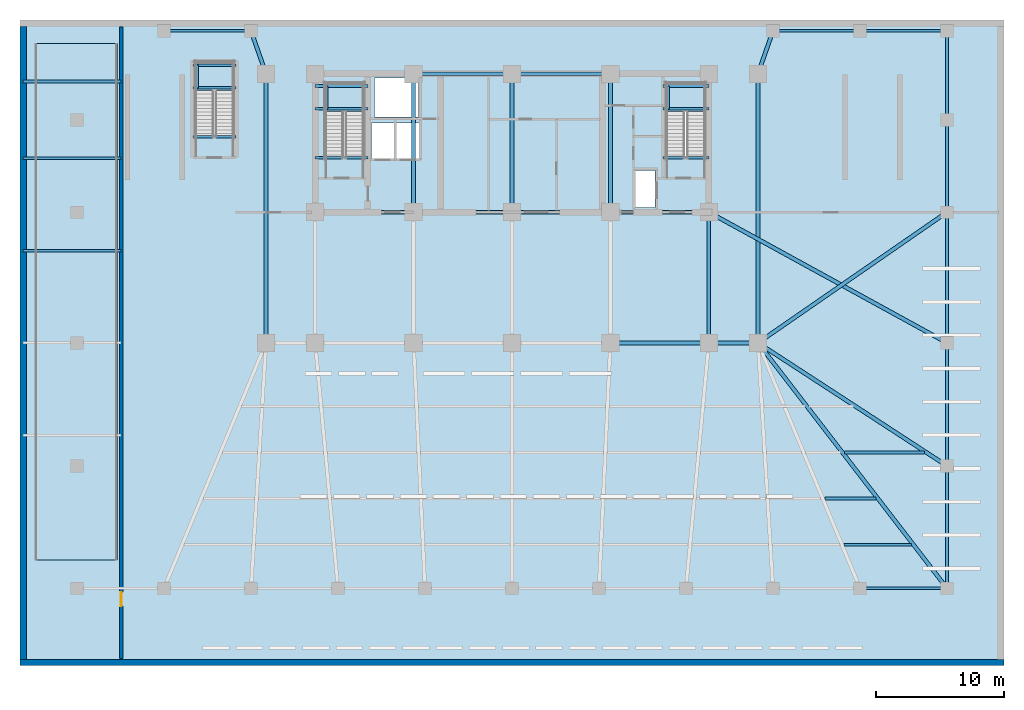
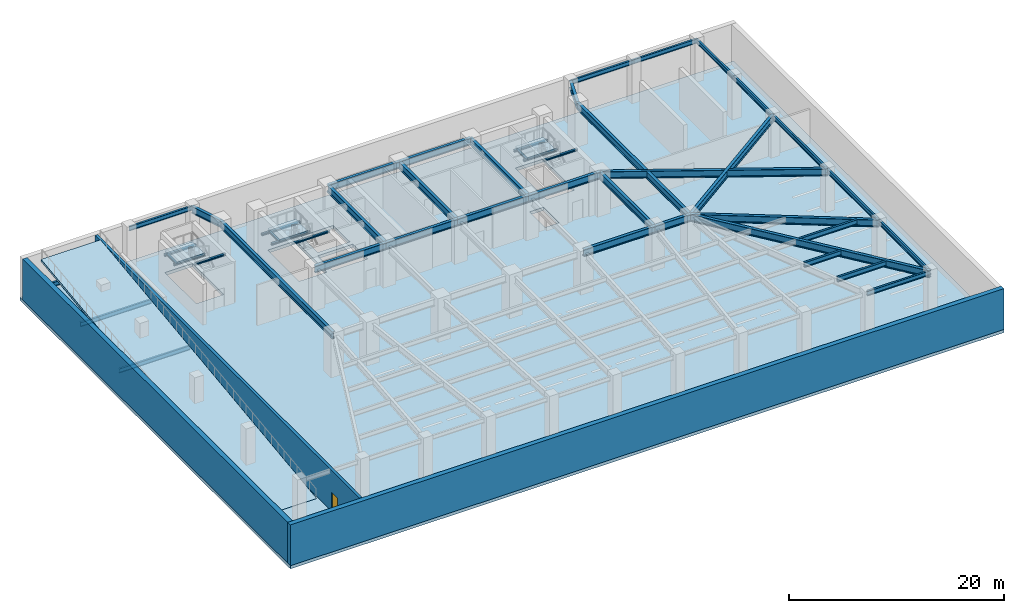
# One storey, part 2 of 8: 47 beams, 5 slabs, 3 walls, 1 door, 1 opening, 3 elements without a shape of their own.
"""IFC4 building model written with IfcOpenShell, lengths in metres."""

from ifc_helpers import new_model, si_unit, direction, frame, frame_2d, origin, origin_2d, place, context, subcontext, project, spatial, polyline, rectangle, i_section, outline, extrude, material, layer, layer_set, material_profile, profile_set, type_object, element, fill, aggregate, save


model = new_model("IFC4")

# Units and contexts
model_context = context("Model", 3, precision=1e-05, world=origin(), true_north=direction((0.0, 1.0)))
body_context = subcontext(model_context, "Body", "Model", "MODEL_VIEW")
ifc_project = project(units=[si_unit("LENGTHUNIT", "METRE"), si_unit("AREAUNIT", "SQUARE_METRE"), si_unit("VOLUMEUNIT", "CUBIC_METRE"), si_unit("PLANEANGLEUNIT", "RADIAN"), si_unit("MASSUNIT", "GRAM", prefix="KILO")], contexts=[model_context])

# Site, building, storey
site_placement = place(None, origin())
site = spatial("IfcSite", under=ifc_project, at=site_placement, CompositionType="ELEMENT")
building_placement = place(site_placement, origin())
building = spatial("IfcBuilding", under=site, at=building_placement, Name="Yelkora Congress Tower", CompositionType="ELEMENT")
storey_placement = place(building_placement, frame((0.0, 0.0, -5.0)))
storey = spatial("IfcBuildingStorey", under=building, at=storey_placement, Name="B01", CompositionType="ELEMENT", Elevation=-5.0)

# Beams
ifc_material_1 = material(Name="Steel S355J2", Category="steel")
ifc_material_profile_1 = material_profile(ifc_material_1, i_section(OverallWidth=0.300048828125, OverallDepth=0.800048828125, WebThickness=0.017578125, FlangeThickness=0.032958984375, FilletRadius=0.030029296875, at=origin_2d()), Name="HEB 800")
ifc_profile_set_1 = profile_set([ifc_material_profile_1], Name="Steel S355J2")
beam_type_1 = type_object("IfcBeamType", Name="BM-GIRD-HEB800", PredefinedType="BEAM", material=ifc_profile_set_1)
beam_1_placement = place(storey_placement, frame((46.080078125, 25.199951171875, 4.25), z_axis=(1.0, 0.0, 0.0), x_axis=(0.0, 1.0, 0.0)))
element("IfcBeam", 1, at=beam_1_placement, inside=storey, type_object=beam_type_1, Name="B01 Spine Grid D Girder 5", PredefinedType="BEAM", context=body_context, shape_type="SweptSolid", body=[
    extrude(i_section(OverallWidth=0.300048828125, OverallDepth=0.800048828125, WebThickness=0.017578125, FlangeThickness=0.032958984375, FilletRadius=0.030029296875, at=origin_2d()), origin(), (0.0, 0.0, 1.0), 7.679931640625),
])
beam_2_placement = place(storey_placement, frame((53.760009765625, 25.199951171875, 4.25), z_axis=(1.0, 0.0, 0.0), x_axis=(0.0, 1.0, 0.0)))
element("IfcBeam", 2, at=beam_2_placement, inside=storey, type_object=beam_type_1, Name="B01 Spine Grid D Girder 6", PredefinedType="BEAM", context=body_context, shape_type="SweptSolid", body=[
    extrude(i_section(OverallWidth=0.300048828125, OverallDepth=0.800048828125, WebThickness=0.017578125, FlangeThickness=0.032958984375, FilletRadius=0.030029296875, at=origin_2d()), origin(), (0.0, 0.0, 1.0), 3.840087890625),
])
beam_3_placement = place(storey_placement, frame((30.719970703125, 46.199951171875, 4.25), z_axis=(1.0, 0.0, 0.0), x_axis=(0.0, 1.0, 0.0)))
element("IfcBeam", 3, at=beam_3_placement, inside=storey, type_object=beam_type_1, Name="B01 Core North Girder 3", PredefinedType="BEAM", context=body_context, shape_type="SweptSolid", body=[
    extrude(i_section(OverallWidth=0.300048828125, OverallDepth=0.800048828125, WebThickness=0.017578125, FlangeThickness=0.032958984375, FilletRadius=0.030029296875, at=origin_2d()), origin(), (0.0, 0.0, 1.0), 7.679931640625),
])
beam_4_placement = place(storey_placement, frame((38.39990234375, 46.199951171875, 4.25), z_axis=(1.0, 0.0, 0.0), x_axis=(0.0, 1.0, 0.0)))
element("IfcBeam", 4, at=beam_4_placement, inside=storey, type_object=beam_type_1, Name="B01 Core North Girder 4", PredefinedType="BEAM", context=body_context, shape_type="SweptSolid", body=[
    extrude(i_section(OverallWidth=0.300048828125, OverallDepth=0.800048828125, WebThickness=0.017578125, FlangeThickness=0.032958984375, FilletRadius=0.030029296875, at=origin_2d()), origin(), (0.0, 0.0, 1.0), 7.68017578125),
])
for number, where, z_axis, x_axis, name in (
    (5, (23.0400390625, 35.39990234375, 4.25), (1.0, 0.0, 0.0), (0.0, 1.0, 0.0), "B01 Core South Girder 1"),
    (6, (30.719970703125, 35.39990234375, 4.25), (1.0, 0.0, 0.0), (0.0, 1.0, 0.0), "B01 Core South Girder 2"),
):
    element("IfcBeam", number, at=place(storey_placement, frame(where, z_axis=z_axis, x_axis=x_axis)), inside=storey, type_object=beam_type_1, Name=name, PredefinedType="BEAM", context=body_context, shape_type="SweptSolid", body=[
        extrude(i_section(OverallWidth=0.300048828125, OverallDepth=0.800048828125, WebThickness=0.017578125, FlangeThickness=0.032958984375, FilletRadius=0.030029296875, at=origin_2d()), origin(), (0.0, 0.0, 1.0), 7.679931640625),
    ])
beam_5_placement = place(storey_placement, frame((38.39990234375, 35.39990234375, 4.25), z_axis=(1.0, 0.0, 0.0), x_axis=(0.0, 1.0, 0.0)))
element("IfcBeam", 7, at=beam_5_placement, inside=storey, type_object=beam_type_1, Name="B01 Core South Girder 3", PredefinedType="BEAM", context=body_context, shape_type="SweptSolid", body=[
    extrude(i_section(OverallWidth=0.300048828125, OverallDepth=0.800048828125, WebThickness=0.017578125, FlangeThickness=0.032958984375, FilletRadius=0.030029296875, at=origin_2d()), origin(), (0.0, 0.0, 1.0), 7.68017578125),
])
beam_6_placement = place(storey_placement, frame((46.080078125, 35.39990234375, 4.25), z_axis=(1.0, 0.0, 0.0), x_axis=(0.0, 1.0, 0.0)))
element("IfcBeam", 8, at=beam_6_placement, inside=storey, type_object=beam_type_1, Name="B01 Core South Girder 4", PredefinedType="BEAM", context=body_context, shape_type="SweptSolid", body=[
    extrude(i_section(OverallWidth=0.300048828125, OverallDepth=0.800048828125, WebThickness=0.017578125, FlangeThickness=0.032958984375, FilletRadius=0.030029296875, at=origin_2d()), origin(), (0.0, 0.0, 1.0), 7.679931640625),
])
for number, where, z_axis, x_axis, name in (
    (9, (30.719970703125, 35.39990234375, 4.25), (0.0, 1.0, 0.0), (-1.0, 0.0, 0.0), "B01 Core Tie Girder MC-S2"),
    (10, (38.39990234375, 35.39990234375, 4.25), (0.0, 1.0, 0.0), (-1.0, 0.0, 0.0), "B01 Core Tie Girder MC-S3"),
    (11, (46.080078125, 35.39990234375, 4.25), (0.0, 1.0, 0.0), (-1.0, 0.0, 0.0), "B01 Core Tie Girder MC-S4"),
):
    element("IfcBeam", number, at=place(storey_placement, frame(where, z_axis=z_axis, x_axis=x_axis)), inside=storey, type_object=beam_type_1, Name=name, PredefinedType="BEAM", context=body_context, shape_type="SweptSolid", body=[
        extrude(i_section(OverallWidth=0.300048828125, OverallDepth=0.800048828125, WebThickness=0.017578125, FlangeThickness=0.032958984375, FilletRadius=0.030029296875, at=origin_2d()), origin(), (0.0, 0.0, 1.0), 10.800048828125),
    ])
beam_7_placement = place(storey_placement, frame((53.760009765625, 25.199951171875, 4.25), z_axis=(0.0, 1.0, 0.0), x_axis=(-1.0, 0.0, 0.0)))
element("IfcBeam", 12, at=beam_7_placement, inside=storey, type_object=beam_type_1, Name="B01 Core Tie Girder MC-D5", PredefinedType="BEAM", context=body_context, shape_type="SweptSolid", body=[
    extrude(i_section(OverallWidth=0.300048828125, OverallDepth=0.800048828125, WebThickness=0.017578125, FlangeThickness=0.032958984375, FilletRadius=0.030029296875, at=origin_2d()), origin(), (0.0, 0.0, 1.0), 10.199951171875),
])
for number, where, z_axis, x_axis, name in (
    (13, (19.199951171875, 25.199951171875, 4.25), (0.0, 1.0, 0.0), (-1.0, 0.0, 0.0), "B01 Neck Flank Girder MC-F1"),
    (14, (57.60009765625, 25.199951171875, 4.25), (0.0, 1.0, 0.0), (-1.0, 0.0, 0.0), "B01 Neck Flank Girder MC-F2"),
):
    element("IfcBeam", number, at=place(storey_placement, frame(where, z_axis=z_axis, x_axis=x_axis)), inside=storey, type_object=beam_type_1, Name=name, PredefinedType="BEAM", context=body_context, shape_type="SweptSolid", body=[
        extrude(i_section(OverallWidth=0.300048828125, OverallDepth=0.800048828125, WebThickness=0.017578125, FlangeThickness=0.032958984375, FilletRadius=0.030029296875, at=origin_2d()), origin(), (0.0, 0.0, 1.0), 21.0),
    ])
for number, where, z_axis, x_axis, name in (
    (15, (18.030029296875, 49.550048828125, 4.25), (0.329694513381, -0.944087669577, 0.0), (0.944087669577, 0.329694513381, 0.0), "B01 Primary Frame Girder PN03"),
    (16, (58.77001953125, 49.550048828125, 4.25), (-0.329694513381, -0.944087669577, 0.0), (0.944087669577, -0.329694513381, 0.0), "B01 Primary Frame Girder PN09"),
):
    element("IfcBeam", number, at=place(storey_placement, frame(where, z_axis=z_axis, x_axis=x_axis)), inside=storey, type_object=beam_type_1, Name=name, PredefinedType="BEAM", context=body_context, shape_type="SweptSolid", body=[
        extrude(i_section(OverallWidth=0.300048828125, OverallDepth=0.800048828125, WebThickness=0.017578125, FlangeThickness=0.032958984375, FilletRadius=0.030029296875, at=origin_2d()), origin(), (0.0, 0.0, 1.0), 3.548583984375),
    ])
beam_8_placement = place(storey_placement, frame((72.35009765625, 6.050048828125, 4.25), z_axis=(-0.610212418574, 0.792237845737, 0.0), x_axis=(-0.792237845737, -0.610212418574, 0.0)))
element("IfcBeam", 17, at=beam_8_placement, inside=storey, type_object=beam_type_1, Name="B01 Primary Frame Girder PS11", PredefinedType="BEAM", context=body_context, shape_type="SweptSolid", body=[
    extrude(i_section(OverallWidth=0.300048828125, OverallDepth=0.800048828125, WebThickness=0.017578125, FlangeThickness=0.032958984375, FilletRadius=0.030029296875, at=origin_2d()), origin(), (0.0, 0.0, 1.0), 24.171875),
])
beam_9_placement = place(storey_placement, frame((72.35009765625, 15.60009765625, 4.25), z_axis=(-0.83812272066, 0.545481718404, 0.0), x_axis=(-0.545481718404, -0.83812272066, 0.0)))
element("IfcBeam", 18, at=beam_9_placement, inside=storey, type_object=beam_type_1, Name="B01 Primary Frame Girder PE1", PredefinedType="BEAM", context=body_context, shape_type="SweptSolid", body=[
    extrude(i_section(OverallWidth=0.300048828125, OverallDepth=0.800048828125, WebThickness=0.017578125, FlangeThickness=0.032958984375, FilletRadius=0.030029296875, at=origin_2d()), origin(), (0.0, 0.0, 1.0), 17.598876953125),
])
beam_10_placement = place(storey_placement, frame((72.35009765625, 25.199951171875, 4.25), z_axis=(-0.876705282536, 0.48102790727, 0.0), x_axis=(-0.48102790727, -0.876705282536, 0.0)))
element("IfcBeam", 19, at=beam_10_placement, inside=storey, type_object=beam_type_1, Name="B01 Primary Frame Girder PE2", PredefinedType="BEAM", context=body_context, shape_type="SweptSolid", body=[
    extrude(i_section(OverallWidth=0.300048828125, OverallDepth=0.800048828125, WebThickness=0.017578125, FlangeThickness=0.032958984375, FilletRadius=0.030029296875, at=origin_2d()), origin(), (0.0, 0.0, 1.0), 21.20458984375),
])
beam_11_placement = place(storey_placement, frame((72.35009765625, 35.39990234375, 4.25), z_axis=(-0.822494466498, -0.568773111689, 0.0), x_axis=(0.568773111689, -0.822494466498, 0.0)))
element("IfcBeam", 20, at=beam_11_placement, inside=storey, type_object=beam_type_1, Name="B01 Primary Frame Girder PE3", PredefinedType="BEAM", context=body_context, shape_type="SweptSolid", body=[
    extrude(i_section(OverallWidth=0.300048828125, OverallDepth=0.800048828125, WebThickness=0.017578125, FlangeThickness=0.032958984375, FilletRadius=0.030029296875, at=origin_2d()), origin(), (0.0, 0.0, 1.0), 17.933349609375),
])
ifc_material_profile_2 = material_profile(ifc_material_1, i_section(OverallWidth=0.2099609375, OverallDepth=0.550048828125, WebThickness=0.010986328125, FlangeThickness=0.01708984375, FilletRadius=0.02392578125, at=origin_2d()), Name="IPE 550")
ifc_profile_set_2 = profile_set([ifc_material_profile_2], Name="Steel S355J2")
beam_type_2 = type_object("IfcBeamType", Name="BM-JOIST-IPE550", PredefinedType="JOIST", material=ifc_profile_set_2)
beam_12_placement = place(storey_placement, frame((64.306640625, 9.449951171875, 4.375), z_axis=(1.0, 0.0, 0.0), x_axis=(0.0, 1.0, 0.0)))
element("IfcBeam", 21, at=beam_12_placement, inside=storey, type_object=beam_type_2, Name="B01 Composite Floor Joist 9", PredefinedType="JOIST", context=body_context, shape_type="SweptSolid", body=[
    extrude(i_section(OverallWidth=0.2099609375, OverallDepth=0.550048828125, WebThickness=0.010986328125, FlangeThickness=0.01708984375, FilletRadius=0.02392578125, at=origin_2d()), origin(), (0.0, 0.0, 1.0), 5.2646484375),
])
beam_13_placement = place(storey_placement, frame((62.810302734375, 13.050048828125, 4.375), z_axis=(1.0, 0.0, 0.0), x_axis=(0.0, 1.0, 0.0)))
element("IfcBeam", 22, at=beam_13_placement, inside=storey, type_object=beam_type_2, Name="B01 Composite Floor Joist 18", PredefinedType="JOIST", context=body_context, shape_type="SweptSolid", body=[
    extrude(i_section(OverallWidth=0.2099609375, OverallDepth=0.550048828125, WebThickness=0.010986328125, FlangeThickness=0.01708984375, FilletRadius=0.02392578125, at=origin_2d()), origin(), (0.0, 0.0, 1.0), 3.988037109375),
])
beam_14_placement = place(storey_placement, frame((64.345458984375, 16.64990234375, 4.375), z_axis=(1.0, 0.0, 0.0), x_axis=(0.0, 1.0, 0.0)))
element("IfcBeam", 23, at=beam_14_placement, inside=storey, type_object=beam_type_2, Name="B01 Composite Floor Joist 28", PredefinedType="JOIST", context=body_context, shape_type="SweptSolid", body=[
    extrude(i_section(OverallWidth=0.2099609375, OverallDepth=0.550048828125, WebThickness=0.010986328125, FlangeThickness=0.01708984375, FilletRadius=0.02392578125, at=origin_2d()), origin(), (0.0, 0.0, 1.0), 6.231201171875),
])
ifc_material_profile_3 = material_profile(ifc_material_1, i_section(OverallWidth=0.199951171875, OverallDepth=0.18994140625, WebThickness=0.006591796875, FlangeThickness=0.010009765625, FilletRadius=0.01806640625, at=origin_2d()), Name="HEA 200")
ifc_profile_set_3 = profile_set([ifc_material_profile_3], Name="Steel S355J2")
beam_type_3 = type_object("IfcBeamType", Name="BM-LAND-HEA200", PredefinedType="BEAM", material=ifc_profile_set_3)
for number, where, z_axis, x_axis, name in (
    (24, (23.0400390625, 43.4599609375, 2.1845703125), (1.0, 0.0, 0.0), (0.0, 1.0, 0.0), "ST-01 B01 Landing Header Beam 1S"),
    (25, (23.0400390625, 45.25, 2.1845703125), (1.0, 0.0, 0.0), (0.0, 1.0, 0.0), "ST-01 B01 Landing Header Beam 1N"),
):
    element("IfcBeam", number, at=place(storey_placement, frame(where, z_axis=z_axis, x_axis=x_axis)), inside=storey, type_object=beam_type_3, Name=name, PredefinedType="BEAM", context=body_context, shape_type="SweptSolid", body=[
        extrude(i_section(OverallWidth=0.199951171875, OverallDepth=0.18994140625, WebThickness=0.006591796875, FlangeThickness=0.010009765625, FilletRadius=0.01806640625, at=origin_2d()), origin(), (0.0, 0.0, 1.0), 4.10986328125),
    ])
beam_15_placement = place(storey_placement, frame((23.93994140625, 43.4599609375, 2.1845703125), z_axis=(0.0, 1.0, 0.0), x_axis=(-1.0, 0.0, 0.0)))
element("IfcBeam", 26, at=beam_15_placement, inside=storey, type_object=beam_type_3, Name="ST-01 B01 Landing Trimmer Beam 1M", PredefinedType="BEAM", context=body_context, shape_type="SweptSolid", body=[
    extrude(i_section(OverallWidth=0.199951171875, OverallDepth=0.18994140625, WebThickness=0.006591796875, FlangeThickness=0.010009765625, FilletRadius=0.01806640625, at=origin_2d()), origin(), (0.0, 0.0, 1.0), 1.7900390625),
])
beam_16_placement = place(storey_placement, frame((23.0400390625, 39.639892578125, 4.536376953125), z_axis=(1.0, 0.0, 0.0), x_axis=(0.0, 1.0, 0.0)))
element("IfcBeam", 27, at=beam_16_placement, inside=storey, type_object=beam_type_3, Name="ST-01 B01 Floor Arrival Stringer Header Beam", PredefinedType="BEAM", context=body_context, shape_type="SweptSolid", body=[
    extrude(i_section(OverallWidth=0.199951171875, OverallDepth=0.18994140625, WebThickness=0.006591796875, FlangeThickness=0.010009765625, FilletRadius=0.01806640625, at=origin_2d()), origin(), (0.0, 0.0, 1.0), 4.10986328125),
])
for number, where, z_axis, x_axis, name in (
    (28, (50.179931640625, 43.4599609375, 2.1845703125), (1.0, 0.0, 0.0), (0.0, 1.0, 0.0), "ST-02 B01 Landing Header Beam 1S"),
    (29, (50.179931640625, 45.25, 2.1845703125), (1.0, 0.0, 0.0), (0.0, 1.0, 0.0), "ST-02 B01 Landing Header Beam 1N"),
):
    element("IfcBeam", number, at=place(storey_placement, frame(where, z_axis=z_axis, x_axis=x_axis)), inside=storey, type_object=beam_type_3, Name=name, PredefinedType="BEAM", context=body_context, shape_type="SweptSolid", body=[
        extrude(i_section(OverallWidth=0.199951171875, OverallDepth=0.18994140625, WebThickness=0.006591796875, FlangeThickness=0.010009765625, FilletRadius=0.01806640625, at=origin_2d()), origin(), (0.0, 0.0, 1.0), 3.580078125),
    ])
beam_17_placement = place(storey_placement, frame((50.580078125, 43.4599609375, 2.1845703125), z_axis=(0.0, 1.0, 0.0), x_axis=(-1.0, 0.0, 0.0)))
element("IfcBeam", 30, at=beam_17_placement, inside=storey, type_object=beam_type_3, Name="ST-02 B01 Landing Trimmer Beam 1M", PredefinedType="BEAM", context=body_context, shape_type="SweptSolid", body=[
    extrude(i_section(OverallWidth=0.199951171875, OverallDepth=0.18994140625, WebThickness=0.006591796875, FlangeThickness=0.010009765625, FilletRadius=0.01806640625, at=origin_2d()), origin(), (0.0, 0.0, 1.0), 1.7900390625),
])
beam_18_placement = place(storey_placement, frame((50.179931640625, 39.639892578125, 4.536376953125), z_axis=(1.0, 0.0, 0.0), x_axis=(0.0, 1.0, 0.0)))
element("IfcBeam", 31, at=beam_18_placement, inside=storey, type_object=beam_type_3, Name="ST-02 B01 Floor Arrival Stringer Header Beam", PredefinedType="BEAM", context=body_context, shape_type="SweptSolid", body=[
    extrude(i_section(OverallWidth=0.199951171875, OverallDepth=0.18994140625, WebThickness=0.006591796875, FlangeThickness=0.010009765625, FilletRadius=0.01806640625, at=origin_2d()), origin(), (0.0, 0.0, 1.0), 3.580078125),
])
for number, where, z_axis, x_axis, name in (
    (32, (13.5, 45.110107421875, 2.1845703125), (1.0, 0.0, 0.0), (0.0, 1.0, 0.0), "ST-B1 B01 Landing Header Beam 1S"),
    (33, (13.5, 46.8798828125, 2.1845703125), (1.0, 0.0, 0.0), (0.0, 1.0, 0.0), "ST-B1 B01 Landing Header Beam 1N"),
):
    element("IfcBeam", number, at=place(storey_placement, frame(where, z_axis=z_axis, x_axis=x_axis)), inside=storey, type_object=beam_type_3, Name=name, PredefinedType="BEAM", context=body_context, shape_type="SweptSolid", body=[
        extrude(i_section(OverallWidth=0.199951171875, OverallDepth=0.18994140625, WebThickness=0.006591796875, FlangeThickness=0.010009765625, FilletRadius=0.01806640625, at=origin_2d()), origin(), (0.0, 0.0, 1.0), 3.360107421875),
    ])
beam_19_placement = place(storey_placement, frame((13.820068359375, 45.110107421875, 2.1845703125), z_axis=(0.0, 1.0, 0.0), x_axis=(-1.0, 0.0, 0.0)))
element("IfcBeam", 34, at=beam_19_placement, inside=storey, type_object=beam_type_3, Name="ST-B1 B01 Landing Trimmer Beam 1M", PredefinedType="BEAM", context=body_context, shape_type="SweptSolid", body=[
    extrude(i_section(OverallWidth=0.199951171875, OverallDepth=0.18994140625, WebThickness=0.006591796875, FlangeThickness=0.010009765625, FilletRadius=0.01806640625, at=origin_2d()), origin(), (0.0, 0.0, 1.0), 1.769775390625),
])
beam_20_placement = place(storey_placement, frame((13.5, 41.2900390625, 4.536376953125), z_axis=(1.0, 0.0, 0.0), x_axis=(0.0, 1.0, 0.0)))
element("IfcBeam", 35, at=beam_20_placement, inside=storey, type_object=beam_type_3, Name="ST-B1 B01 Floor Arrival Stringer Header Beam", PredefinedType="BEAM", context=body_context, shape_type="SweptSolid", body=[
    extrude(i_section(OverallWidth=0.199951171875, OverallDepth=0.18994140625, WebThickness=0.006591796875, FlangeThickness=0.010009765625, FilletRadius=0.01806640625, at=origin_2d()), origin(), (0.0, 0.0, 1.0), 3.360107421875),
])
ifc_material_profile_4 = material_profile(ifc_material_1, i_section(OverallWidth=0.199951171875, OverallDepth=0.5, WebThickness=0.01025390625, FlangeThickness=0.01611328125, FilletRadius=0.02099609375, at=origin_2d()), Name="IPE 500")
ifc_profile_set_4 = profile_set([ifc_material_profile_4], Name="Steel S355J2")
beam_type_4 = type_object("IfcBeamType", Name="BM-SPAN-IPE500B", PredefinedType="BEAM", material=ifc_profile_set_4)
beam_21_placement = place(storey_placement, frame((65.56005859375, 6.050048828125, 4.39990234375), z_axis=(1.0, 0.0, 0.0), x_axis=(0.0, 1.0, 0.0)))
element("IfcBeam", 36, at=beam_21_placement, inside=storey, type_object=beam_type_4, Name="B01 Perimeter Beam 11", PredefinedType="BEAM", context=body_context, shape_type="SweptSolid", body=[
    extrude(i_section(OverallWidth=0.199951171875, OverallDepth=0.5, WebThickness=0.01025390625, FlangeThickness=0.01611328125, FilletRadius=0.02099609375, at=origin_2d()), origin(), (0.0, 0.0, 1.0), 6.7900390625),
])
beam_22_placement = place(storey_placement, frame((72.35009765625, 6.050048828125, 4.39990234375), z_axis=(0.0, 1.0, 0.0), x_axis=(-1.0, 0.0, 0.0)))
element("IfcBeam", 37, at=beam_22_placement, inside=storey, type_object=beam_type_4, Name="B01 Perimeter Beam 12", PredefinedType="BEAM", context=body_context, shape_type="SweptSolid", body=[
    extrude(i_section(OverallWidth=0.199951171875, OverallDepth=0.5, WebThickness=0.01025390625, FlangeThickness=0.01611328125, FilletRadius=0.02099609375, at=origin_2d()), origin(), (0.0, 0.0, 1.0), 9.550048828125),
])
beam_23_placement = place(storey_placement, frame((72.35009765625, 15.60009765625, 4.39990234375), z_axis=(0.0, 1.0, 0.0), x_axis=(-1.0, 0.0, 0.0)))
element("IfcBeam", 38, at=beam_23_placement, inside=storey, type_object=beam_type_4, Name="B01 Perimeter Beam 13", PredefinedType="BEAM", context=body_context, shape_type="SweptSolid", body=[
    extrude(i_section(OverallWidth=0.199951171875, OverallDepth=0.5, WebThickness=0.01025390625, FlangeThickness=0.01611328125, FilletRadius=0.02099609375, at=origin_2d()), origin(), (0.0, 0.0, 1.0), 9.599853515625),
])
beam_24_placement = place(storey_placement, frame((72.35009765625, 25.199951171875, 4.39990234375), z_axis=(0.0, 1.0, 0.0), x_axis=(-1.0, 0.0, 0.0)))
element("IfcBeam", 39, at=beam_24_placement, inside=storey, type_object=beam_type_4, Name="B01 Perimeter Beam 14", PredefinedType="BEAM", context=body_context, shape_type="SweptSolid", body=[
    extrude(i_section(OverallWidth=0.199951171875, OverallDepth=0.5, WebThickness=0.01025390625, FlangeThickness=0.01611328125, FilletRadius=0.02099609375, at=origin_2d()), origin(), (0.0, 0.0, 1.0), 10.199951171875),
])
beam_25_placement = place(storey_placement, frame((72.35009765625, 35.39990234375, 4.39990234375), z_axis=(0.0, 1.0, 0.0), x_axis=(-1.0, 0.0, 0.0)))
element("IfcBeam", 40, at=beam_25_placement, inside=storey, type_object=beam_type_4, Name="B01 Perimeter Beam 15", PredefinedType="BEAM", context=body_context, shape_type="SweptSolid", body=[
    extrude(i_section(OverallWidth=0.199951171875, OverallDepth=0.5, WebThickness=0.01025390625, FlangeThickness=0.01611328125, FilletRadius=0.02099609375, at=origin_2d()), origin(), (0.0, 0.0, 1.0), 7.2001953125),
])
beam_26_placement = place(storey_placement, frame((72.35009765625, 42.60009765625, 4.39990234375), z_axis=(0.0, 1.0, 0.0), x_axis=(-1.0, 0.0, 0.0)))
element("IfcBeam", 41, at=beam_26_placement, inside=storey, type_object=beam_type_4, Name="B01 Perimeter Beam 16", PredefinedType="BEAM", context=body_context, shape_type="SweptSolid", body=[
    extrude(i_section(OverallWidth=0.199951171875, OverallDepth=0.5, WebThickness=0.01025390625, FlangeThickness=0.01611328125, FilletRadius=0.02099609375, at=origin_2d()), origin(), (0.0, 0.0, 1.0), 6.949951171875),
])
for number, where, z_axis, x_axis, name in (
    (42, (72.35009765625, 49.550048828125, 4.39990234375), (-1.0, 0.0, 0.0), (0.0, -1.0, 0.0), "B01 Perimeter Beam 17"),
    (43, (65.56005859375, 49.550048828125, 4.39990234375), (-1.0, 0.0, 0.0), (0.0, -1.0, 0.0), "B01 Perimeter Beam 18"),
    (44, (18.030029296875, 49.550048828125, 4.39990234375), (-1.0, 0.0, 0.0), (0.0, -1.0, 0.0), "B01 Perimeter Beam 20"),
):
    element("IfcBeam", number, at=place(storey_placement, frame(where, z_axis=z_axis, x_axis=x_axis)), inside=storey, type_object=beam_type_4, Name=name, PredefinedType="BEAM", context=body_context, shape_type="SweptSolid", body=[
        extrude(i_section(OverallWidth=0.199951171875, OverallDepth=0.5, WebThickness=0.01025390625, FlangeThickness=0.01611328125, FilletRadius=0.02099609375, at=origin_2d()), origin(), (0.0, 0.0, 1.0), 6.7900390625),
    ])
for number, where, z_axis, x_axis, name in (
    (45, (0.25, 32.39990234375, 2.465087890625), (1.0, 0.0, 0.0), (0.0, 1.0, 0.0), "Vehicle Ramp Support Beam 3"),
    (46, (0.25, 39.60009765625, 3.364990234375), (1.0, 0.0, 0.0), (0.0, 1.0, 0.0), "Vehicle Ramp Support Beam 4"),
    (47, (0.25, 45.60009765625, 4.114990234375), (1.0, 0.0, 0.0), (0.0, 1.0, 0.0), "Vehicle Ramp Support Beam 5"),
):
    element("IfcBeam", number, at=place(storey_placement, frame(where, z_axis=z_axis, x_axis=x_axis)), inside=storey, type_object=beam_type_4, Name=name, PredefinedType="BEAM", context=body_context, shape_type="SweptSolid", body=[
        extrude(i_section(OverallWidth=0.199951171875, OverallDepth=0.5, WebThickness=0.01025390625, FlangeThickness=0.01611328125, FilletRadius=0.02099609375, at=origin_2d()), origin(), (0.0, 0.0, 1.0), 7.64990234375),
    ])

# Slab
ifc_material_2 = material(Name="Concrete C50/60", Category="concrete")
ifc_layer_1 = layer(ifc_material_2, 0.35009765625)
ifc_layer_set_1 = layer_set([ifc_layer_1], Name="Concrete C50/60")
slab_type_1 = type_object("IfcSlabType", Name="SLAB-BSM-350", PredefinedType="FLOOR", material=ifc_layer_set_1)
slab_1_placement = place(storey_placement, frame((0.0, 0.0, -0.35009765625)))
element("IfcSlab", 48, at=slab_1_placement, inside=storey, type_object=slab_type_1, Name="B01 Structural Floor Slab", PredefinedType="FLOOR", context=body_context, shape_type="SweptSolid", body=[
    extrude(outline(polyline([(0.0, 0.0), (76.800048828125, 0.0), (76.800048828125, 50.39990234375), (0.0, 50.39990234375), (0.0, 0.0)]), holes=[polyline([(23.820068359375, 39.6298828125), (26.820068359375, 39.6298828125), (26.820068359375, 45.469970703125), (23.820068359375, 45.469970703125), (23.820068359375, 39.6298828125)]), polyline([(50.4599609375, 39.6298828125), (53.4599609375, 39.6298828125), (53.4599609375, 45.469970703125), (50.4599609375, 45.469970703125), (50.4599609375, 39.6298828125)]), polyline([(13.699951171875, 41.280029296875), (16.659912109375, 41.280029296875), (16.659912109375, 47.10009765625), (13.699951171875, 47.10009765625), (13.699951171875, 41.280029296875)]), polyline([(48.050048828125, 35.75), (49.550048828125, 35.75), (49.550048828125, 38.64990234375), (48.050048828125, 38.64990234375), (48.050048828125, 35.75)]), polyline([(27.419921875, 39.60009765625), (31.179931640625, 39.60009765625), (31.179931640625, 42.35009765625), (27.419921875, 42.35009765625), (27.419921875, 39.60009765625)]), polyline([(27.64990234375, 42.820068359375), (31.1201171875, 42.820068359375), (31.1201171875, 45.8798828125), (27.64990234375, 45.8798828125), (27.64990234375, 42.820068359375)])]), origin(), (0.0, 0.0, 1.0), 0.35009765625),
])

# Stair, slab
ifc_material_3 = material(Name="Concrete C40/50", Category="concrete")
stair_type_1 = type_object("IfcStairType", Name="STAIR-HT-1420-R28-179", PredefinedType="HALF_TURN_STAIR", material=ifc_material_3)
stair_1_placement = place(storey_placement, origin())
stair_1 = element("IfcStair", 49, at=stair_1_placement, inside=storey, type_object=stair_type_1, Name="West Core Protected Exit Stair ST-01 (B01)", PredefinedType="HALF_TURN_STAIR")
ifc_layer_2 = layer(ifc_material_3, 0.219970703125)
ifc_layer_set_2 = layer_set([ifc_layer_2], Name="Concrete C40/50")
slab_type_2 = type_object("IfcSlabType", Name="SLAB-LANDING-220", PredefinedType="LANDING", material=ifc_layer_set_2)
slab_2_placement = place(storey_placement, frame((0.0, 0.0, 2.280029296875)))
slab_2 = element("IfcSlab", 50, at=slab_2_placement, type_object=slab_type_2, Name="ST-01 B01 Half Landing 1", PredefinedType="LANDING", context=body_context, shape_type="SweptSolid", body=[
    extrude(outline(polyline([(26.820068359375, 43.239990234375), (26.820068359375, 45.469970703125), (23.820068359375, 45.469970703125), (23.820068359375, 43.239990234375), (26.820068359375, 43.239990234375)])), origin(), (0.0, 0.0, 1.0), 0.219970703125),
])
aggregate(stair_1, [slab_2])

stair_2_placement = place(storey_placement, origin())
stair_2 = element("IfcStair", 51, at=stair_2_placement, inside=storey, type_object=stair_type_1, Name="East Core Protected Exit Stair ST-02 (B01)", PredefinedType="HALF_TURN_STAIR")
slab_3_placement = place(storey_placement, frame((0.0, 0.0, 2.280029296875)))
slab_3 = element("IfcSlab", 52, at=slab_3_placement, type_object=slab_type_2, Name="ST-02 B01 Half Landing 1", PredefinedType="LANDING", context=body_context, shape_type="SweptSolid", body=[
    extrude(outline(polyline([(53.4599609375, 43.239990234375), (53.4599609375, 45.469970703125), (50.4599609375, 45.469970703125), (50.4599609375, 43.239990234375), (53.4599609375, 43.239990234375)])), origin(), (0.0, 0.0, 1.0), 0.219970703125),
])
aggregate(stair_2, [slab_3])

stair_type_2 = type_object("IfcStairType", Name="STAIR-HT-1400-R28-179", PredefinedType="HALF_TURN_STAIR", material=ifc_material_3)
stair_3_placement = place(storey_placement, origin())
stair_3 = element("IfcStair", 53, at=stair_3_placement, inside=storey, type_object=stair_type_2, Name="Basement Exit Stair ST-B1 (B01)", PredefinedType="HALF_TURN_STAIR")
slab_4_placement = place(storey_placement, frame((0.0, 0.0, 2.280029296875)))
slab_4 = element("IfcSlab", 54, at=slab_4_placement, type_object=slab_type_2, Name="ST-B1 B01 Half Landing 1", PredefinedType="LANDING", context=body_context, shape_type="SweptSolid", body=[
    extrude(outline(polyline([(16.659912109375, 44.889892578125), (16.659912109375, 47.10009765625), (13.699951171875, 47.10009765625), (13.699951171875, 44.889892578125), (16.659912109375, 44.889892578125)])), origin(), (0.0, 0.0, 1.0), 0.219970703125),
])
aggregate(stair_3, [slab_4])

# Slab
ifc_layer_3 = layer(ifc_material_3, 0.25)
ifc_layer_set_3 = layer_set([ifc_layer_3], Name="Concrete C40/50")
slab_type_3 = type_object("IfcSlabType", Name="SLAB-RAMP-250", PredefinedType="FLOOR", material=ifc_layer_set_3)
slab_5_placement = place(storey_placement, frame((1.199951171875, 8.25, 0.0), z_axis=(0.0, -0.123125301518, 0.992391132632), x_axis=(1.0, 0.0, 0.0)))
element("IfcSlab", 55, at=slab_5_placement, inside=storey, type_object=slab_type_3, Name="Car Park Vehicle Ramp R1 Structural Slab", PredefinedType="FLOOR", context=body_context, shape_type="SweptSolid", body=[
    extrude(outline(polyline([(0.0, 0.0), (6.400146484375, 0.0), (6.400146484375, 40.60903760924727), (0.0, 40.60903760924727), (0.0, 0.0)])), origin(), (0.0, 0.0, -1.0), 0.25),
])

# Wall, opening, door
ifc_layer_4 = layer(ifc_material_2, 0.300048828125)
ifc_layer_set_4 = layer_set([ifc_layer_4], Name="Concrete C50/60")
wall_type_1 = type_object("IfcWallType", Name="WALL-CORE-INT-300", PredefinedType="SHEAR", material=ifc_layer_set_4)
wall_1_placement = place(storey_placement, frame((7.89990234375, 0.550048828125, 0.0), z_axis=(0.0, 0.0, 1.0), x_axis=(0.0, 1.0, 0.0)))
wall_1 = element("IfcWall", 56, at=wall_1_placement, inside=storey, type_object=wall_type_1, Name="B01 Vehicle Ramp Shaft Shear Wall", PredefinedType="SHEAR", context=body_context, shape_type="SweptSolid", body=[
    extrude(rectangle(XDim=49.300048828125, YDim=0.300048828125, at=frame_2d((24.64990234375, 0.0))), origin(), (0.0, 0.0, 1.0), 4.64990234375),
])
opening_placement = place(wall_1_placement, frame((4.10009765625, 0.0, 0.0)))
opening = element("IfcOpeningElement", 57, at=opening_placement, cuts=wall_1, Name="Opening DR-110F9", PredefinedType="OPENING", context=body_context, shape_type="SweptSolid", body=[
    extrude(rectangle(XDim=1.10009765625, YDim=2.14990234375, at=frame_2d((0.550048828125, 1.074951171875))), frame((0.0, 0.159912109375, 0.0), z_axis=(0.0, -1.0, 0.0), x_axis=(1.0, 0.0, 0.0)), (0.0, 0.0, 1.0), 0.320068359375),
])
ifc_material_4 = material(Name="Galvanised steel fire door leaf", Category="steel")
door_type = type_object("IfcDoorType", Name="DOOR-FD90-1100", OperationType="NOTDEFINED", PredefinedType="DOOR", material=ifc_material_4)
door_placement = place(opening_placement, origin())
door = element("IfcDoor", 58, at=door_placement, inside=storey, type_object=door_type, Name="B01 Ramp Vestibule Fire Door", OperationType="SINGLE_SWING_LEFT", OverallHeight=2.14990234375, OverallWidth=1.10009765625, PredefinedType="DOOR", context=body_context, shape_type="SweptSolid", body=[
    extrude(rectangle(XDim=1.10009765625, YDim=2.14990234375, at=frame_2d((0.550048828125, 1.074951171875))), frame((0.0, 0.02490234375, 0.0), z_axis=(0.0, -1.0, 0.0), x_axis=(1.0, 0.0, 0.0)), (0.0, 0.0, 1.0), 0.050048828125),
])
fill(opening, door)

# Walls
ifc_layer_5 = layer(ifc_material_2, 0.5)
ifc_layer_set_5 = layer_set([ifc_layer_5], Name="Concrete C50/60")
wall_type_2 = type_object("IfcWallType", Name="WALL-RET-500", PredefinedType="USERDEFINED", material=ifc_layer_set_5)
wall_2_placement = place(storey_placement, frame((0.0, 0.25, 0.0), z_axis=(0.0, 0.0, 1.0), x_axis=(1.0, 0.0, 0.0)))
element("IfcWall", 59, at=wall_2_placement, inside=storey, type_object=wall_type_2, Name="B01 South Retaining Wall", ObjectType="RETAININGWALL", PredefinedType="USERDEFINED", context=body_context, shape_type="SweptSolid", body=[
    extrude(rectangle(XDim=76.800048828125, YDim=0.5, at=frame_2d((38.39990234375, 0.0))), origin(), (0.0, 0.0, 1.0), 4.64990234375),
])
wall_3_placement = place(storey_placement, frame((0.25, 0.5, 0.0), z_axis=(0.0, 0.0, 1.0), x_axis=(0.0, 1.0, 0.0)))
element("IfcWall", 60, at=wall_3_placement, inside=storey, type_object=wall_type_2, Name="B01 West Retaining Wall", ObjectType="RETAININGWALL", PredefinedType="USERDEFINED", context=body_context, shape_type="SweptSolid", body=[
    extrude(rectangle(XDim=49.39990234375, YDim=0.5, at=frame_2d((24.699951171875, 0.0))), origin(), (0.0, 0.0, 1.0), 4.64990234375),
])

save(model, "model.ifc")
